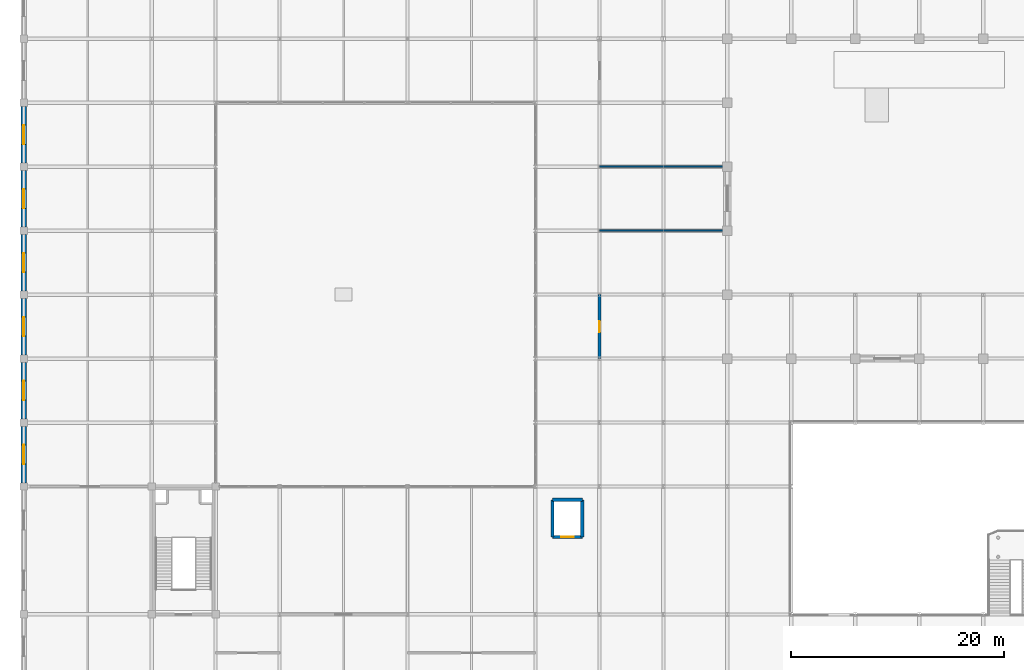
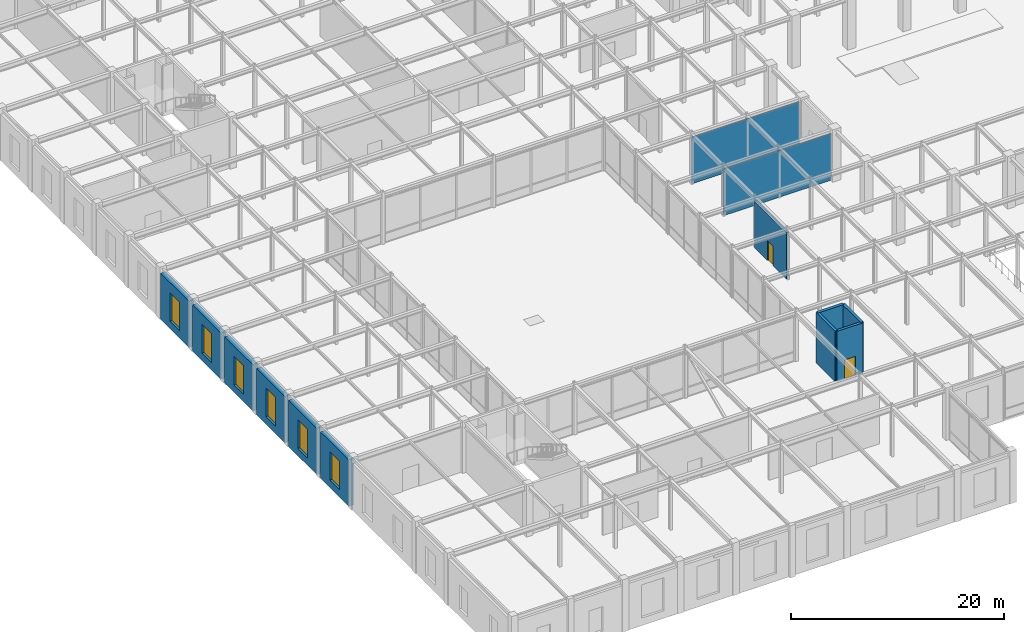
# One storey, part 98 of 108: 13 walls, 6 windows, 2 doors, 8 openings.
"""IFC4 building model written with IfcOpenShell, lengths in metres."""

from ifc_helpers import new_model, si_unit, direction, frame, frame_2d, origin, place, context, subcontext, project, spatial, rectangle, extrude, material, layer, layer_set, type_object, element, fill, save


model = new_model("IFC4")

# Units and contexts
model_context = context("Model", 3, precision=1e-05, world=origin(), true_north=direction((0.0, 1.0)))
body_context = subcontext(model_context, "Body", "Model", "MODEL_VIEW")
ifc_project = project(units=[si_unit("LENGTHUNIT", "METRE"), si_unit("AREAUNIT", "SQUARE_METRE"), si_unit("VOLUMEUNIT", "CUBIC_METRE"), si_unit("PLANEANGLEUNIT", "RADIAN"), si_unit("MASSUNIT", "GRAM", prefix="KILO")], contexts=[model_context])

# Site, building, storey
site_placement = place(None, origin())
site = spatial("IfcSite", under=ifc_project, at=site_placement, CompositionType="ELEMENT")
building_placement = place(site_placement, origin())
building = spatial("IfcBuilding", under=site, at=building_placement, Name="Zlatovratsky Civic Hall", CompositionType="ELEMENT")
storey_placement = place(building_placement, frame((0.0, 0.0, 6.0)))
storey = spatial("IfcBuildingStorey", under=building, at=storey_placement, Name="L02", CompositionType="ELEMENT", Elevation=6.0)

# Wall, opening, door
ifc_material_1 = material(Name="Acoustic ceramic blockwork", Category="masonry")
ifc_layer_1 = layer(ifc_material_1, 0.260009765625)
ifc_layer_set_1 = layer_set([ifc_layer_1], Name="Acoustic ceramic blockwork")
wall_type_1 = type_object("IfcWallType", Name="Wall_ArchiveCompartment_260", PredefinedType="PARTITIONING", material=ifc_layer_set_1)
wall_1_placement = place(storey_placement, frame((54.0, 42.0, 0.0), z_axis=(0.0, 0.0, 1.0), x_axis=(0.0, 1.0, 0.0)))
wall_1 = element("IfcWall", 1, at=wall_1_placement, inside=storey, type_object=wall_type_1, Name="WL-6137", PredefinedType="PARTITIONING", context=body_context, shape_type="SweptSolid", body=[
    extrude(rectangle(XDim=6.0, YDim=0.260009765625, at=frame_2d((3.0, 0.0))), origin(), (0.0, 0.0, 1.0), 5.320068359375),
])
opening_1_placement = place(wall_1_placement, frame((2.47509765625, 0.0, 0.0)))
opening_1 = element("IfcOpeningElement", 2, at=opening_1_placement, cuts=wall_1, Name="Opening D-24", PredefinedType="OPENING", context=body_context, shape_type="SweptSolid", body=[
    extrude(rectangle(XDim=1.050048828125, YDim=2.25, at=frame_2d((0.52490234375, 1.125))), frame((0.0, 0.14501953125, 0.0), z_axis=(0.0, -1.0, 0.0), x_axis=(1.0, 0.0, 0.0)), (0.0, 0.0, 1.0), 0.289794921875),
])
ifc_material_2 = material(Name="Solid oak joinery in steel frame", Category="steel")
door_type_1 = type_object("IfcDoorType", Name="Door_DirectorateOffice_1050x2250", OperationType="NOTDEFINED", PredefinedType="DOOR", material=ifc_material_2)
door_1_placement = place(opening_1_placement, origin())
door_1 = element("IfcDoor", 3, at=door_1_placement, inside=storey, type_object=door_type_1, Name="DR-5278", OperationType="SINGLE_SWING_LEFT", OverallHeight=2.25, OverallWidth=1.050048828125, PredefinedType="DOOR", context=body_context, shape_type="SweptSolid", body=[
    extrude(rectangle(XDim=1.050048828125, YDim=2.25, at=frame_2d((0.52490234375, 1.125))), frame((0.0, 0.02490234375, 0.0), z_axis=(0.0, -1.0, 0.0), x_axis=(1.0, 0.0, 0.0)), (0.0, 0.0, 1.0), 0.050048828125),
])
fill(opening_1, door_1)

# Walls
ifc_material_3 = material(Name="Fire-rated gypsum board framing", Category="gypsum")
ifc_layer_2 = layer(ifc_material_3, 0.139892578125)
ifc_layer_set_2 = layer_set([ifc_layer_2], Name="Fire-rated gypsum board framing")
wall_type_2 = type_object("IfcWallType", Name="Wall_OfficePartition_140", PredefinedType="PARTITIONING", material=ifc_layer_set_2)
for number, where, z_axis, x_axis, name in (
    (4, (54.0, 54.0, 0.0), (0.0, 0.0, 1.0), (1.0, 0.0, 0.0), "WL-6147"),
    (5, (54.0, 60.0, 0.0), (0.0, 0.0, 1.0), (1.0, 0.0, 0.0), "WL-6148"),
):
    element("IfcWall", number, at=place(storey_placement, frame(where, z_axis=z_axis, x_axis=x_axis)), inside=storey, type_object=wall_type_2, Name=name, PredefinedType="PARTITIONING", context=body_context, shape_type="SweptSolid", body=[
        extrude(rectangle(XDim=11.659912109375, YDim=0.139892578125, at=frame_2d((5.830078125, 0.0))), origin(), (0.0, 0.0, 1.0), 5.320068359375),
    ])

# Wall, opening, window
ifc_layer_3 = layer(ifc_material_1, 0.39990234375, Name="Backing")
ifc_material_4 = material(Name="Polished Karelian granite ashlar", Category="masonry")
ifc_layer_4 = layer(ifc_material_4, 0.139892578125, Name="Finish")
ifc_layer_set_3 = layer_set([ifc_layer_3, ifc_layer_4], Name="Acoustic ceramic blockwork")
wall_type_3 = type_object("IfcWallType", Name="Wall_PodiumGraniteArcade_540", PredefinedType="SOLIDWALL", material=ifc_layer_set_3)
wall_2_placement = place(storey_placement, frame((0.0, 30.35009765625, 0.0), z_axis=(0.0, 0.0, 1.0), x_axis=(0.0, 1.0, 0.0)))
wall_2 = element("IfcWall", 6, at=wall_2_placement, inside=storey, type_object=wall_type_3, Name="WL-0210", PredefinedType="SOLIDWALL", context=body_context, shape_type="SweptSolid", body=[
    extrude(rectangle(XDim=5.2998046875, YDim=0.5400390625, at=frame_2d((2.64990234375, 0.0))), origin(), (0.0, 0.0, 1.0), 5.31005859375),
])
opening_2_placement = place(wall_2_placement, frame((1.75, 0.0, 0.85009765625)))
opening_2 = element("IfcOpeningElement", 7, at=opening_2_placement, cuts=wall_2, Name="Opening WN-06", PredefinedType="OPENING", context=body_context, shape_type="SweptSolid", body=[
    extrude(rectangle(XDim=1.800048828125, YDim=3.300048828125, at=frame_2d((0.89990234375, 1.64990234375))), frame((0.0, 0.284912109375, 0.0), z_axis=(0.0, -1.0, 0.0), x_axis=(1.0, 0.0, 0.0)), (0.0, 0.0, 1.0), 0.56982421875),
])
ifc_material_5 = material(Name="Low-E laminated double glazing", Category="glass")
window_type = type_object("IfcWindowType", Name="Window_PianoNobileCourt_1800x3300", PartitioningType="SINGLE_PANEL", PredefinedType="WINDOW", material=ifc_material_5)
window_1_placement = place(opening_2_placement, origin())
window_1 = element("IfcWindow", 8, at=window_1_placement, inside=storey, type_object=window_type, Name="WN-0132", OverallHeight=3.300048828125, OverallWidth=1.800048828125, PartitioningType="SINGLE_PANEL", PredefinedType="WINDOW", context=body_context, shape_type="SweptSolid", body=[
    extrude(rectangle(XDim=1.800048828125, YDim=3.300048828125, at=frame_2d((0.89990234375, 1.64990234375))), frame((0.0, 0.030029296875, 0.0), z_axis=(0.0, -1.0, 0.0), x_axis=(1.0, 0.0, 0.0)), (0.0, 0.0, 1.0), 0.06005859375),
])
fill(opening_2, window_1)

wall_3_placement = place(storey_placement, frame((0.0, 36.35009765625, 0.0), z_axis=(0.0, 0.0, 1.0), x_axis=(0.0, 1.0, 0.0)))
wall_3 = element("IfcWall", 9, at=wall_3_placement, inside=storey, type_object=wall_type_3, Name="WL-0211", PredefinedType="SOLIDWALL", context=body_context, shape_type="SweptSolid", body=[
    extrude(rectangle(XDim=5.2998046875, YDim=0.5400390625, at=frame_2d((2.64990234375, 0.0))), origin(), (0.0, 0.0, 1.0), 5.31005859375),
])
opening_3_placement = place(wall_3_placement, frame((1.75, 0.0, 0.85009765625)))
opening_3 = element("IfcOpeningElement", 10, at=opening_3_placement, cuts=wall_3, Name="Opening WN-06", PredefinedType="OPENING", context=body_context, shape_type="SweptSolid", body=[
    extrude(rectangle(XDim=1.800048828125, YDim=3.300048828125, at=frame_2d((0.89990234375, 1.64990234375))), frame((0.0, 0.284912109375, 0.0), z_axis=(0.0, -1.0, 0.0), x_axis=(1.0, 0.0, 0.0)), (0.0, 0.0, 1.0), 0.56982421875),
])
window_2_placement = place(opening_3_placement, origin())
window_2 = element("IfcWindow", 11, at=window_2_placement, inside=storey, type_object=window_type, Name="WN-0133", OverallHeight=3.300048828125, OverallWidth=1.800048828125, PartitioningType="SINGLE_PANEL", PredefinedType="WINDOW", context=body_context, shape_type="SweptSolid", body=[
    extrude(rectangle(XDim=1.800048828125, YDim=3.300048828125, at=frame_2d((0.89990234375, 1.64990234375))), frame((0.0, 0.030029296875, 0.0), z_axis=(0.0, -1.0, 0.0), x_axis=(1.0, 0.0, 0.0)), (0.0, 0.0, 1.0), 0.06005859375),
])
fill(opening_3, window_2)

wall_4_placement = place(storey_placement, frame((0.0, 42.35009765625, 0.0), z_axis=(0.0, 0.0, 1.0), x_axis=(0.0, 1.0, 0.0)))
wall_4 = element("IfcWall", 12, at=wall_4_placement, inside=storey, type_object=wall_type_3, Name="WL-0212", PredefinedType="SOLIDWALL", context=body_context, shape_type="SweptSolid", body=[
    extrude(rectangle(XDim=5.2998046875, YDim=0.5400390625, at=frame_2d((2.64990234375, 0.0))), origin(), (0.0, 0.0, 1.0), 5.31005859375),
])
opening_4_placement = place(wall_4_placement, frame((1.75, 0.0, 0.85009765625)))
opening_4 = element("IfcOpeningElement", 13, at=opening_4_placement, cuts=wall_4, Name="Opening WN-06", PredefinedType="OPENING", context=body_context, shape_type="SweptSolid", body=[
    extrude(rectangle(XDim=1.800048828125, YDim=3.300048828125, at=frame_2d((0.89990234375, 1.64990234375))), frame((0.0, 0.284912109375, 0.0), z_axis=(0.0, -1.0, 0.0), x_axis=(1.0, 0.0, 0.0)), (0.0, 0.0, 1.0), 0.56982421875),
])
window_3_placement = place(opening_4_placement, origin())
window_3 = element("IfcWindow", 14, at=window_3_placement, inside=storey, type_object=window_type, Name="WN-0134", OverallHeight=3.300048828125, OverallWidth=1.800048828125, PartitioningType="SINGLE_PANEL", PredefinedType="WINDOW", context=body_context, shape_type="SweptSolid", body=[
    extrude(rectangle(XDim=1.800048828125, YDim=3.300048828125, at=frame_2d((0.89990234375, 1.64990234375))), frame((0.0, 0.030029296875, 0.0), z_axis=(0.0, -1.0, 0.0), x_axis=(1.0, 0.0, 0.0)), (0.0, 0.0, 1.0), 0.06005859375),
])
fill(opening_4, window_3)

wall_5_placement = place(storey_placement, frame((0.0, 48.35009765625, 0.0), z_axis=(0.0, 0.0, 1.0), x_axis=(0.0, 1.0, 0.0)))
wall_5 = element("IfcWall", 15, at=wall_5_placement, inside=storey, type_object=wall_type_3, Name="WL-0213", PredefinedType="SOLIDWALL", context=body_context, shape_type="SweptSolid", body=[
    extrude(rectangle(XDim=5.2998046875, YDim=0.5400390625, at=frame_2d((2.64990234375, 0.0))), origin(), (0.0, 0.0, 1.0), 5.31005859375),
])
opening_5_placement = place(wall_5_placement, frame((1.75, 0.0, 0.85009765625)))
opening_5 = element("IfcOpeningElement", 16, at=opening_5_placement, cuts=wall_5, Name="Opening WN-06", PredefinedType="OPENING", context=body_context, shape_type="SweptSolid", body=[
    extrude(rectangle(XDim=1.800048828125, YDim=3.300048828125, at=frame_2d((0.89990234375, 1.64990234375))), frame((0.0, 0.284912109375, 0.0), z_axis=(0.0, -1.0, 0.0), x_axis=(1.0, 0.0, 0.0)), (0.0, 0.0, 1.0), 0.56982421875),
])
window_4_placement = place(opening_5_placement, origin())
window_4 = element("IfcWindow", 17, at=window_4_placement, inside=storey, type_object=window_type, Name="WN-0135", OverallHeight=3.300048828125, OverallWidth=1.800048828125, PartitioningType="SINGLE_PANEL", PredefinedType="WINDOW", context=body_context, shape_type="SweptSolid", body=[
    extrude(rectangle(XDim=1.800048828125, YDim=3.300048828125, at=frame_2d((0.89990234375, 1.64990234375))), frame((0.0, 0.030029296875, 0.0), z_axis=(0.0, -1.0, 0.0), x_axis=(1.0, 0.0, 0.0)), (0.0, 0.0, 1.0), 0.06005859375),
])
fill(opening_5, window_4)

wall_6_placement = place(storey_placement, frame((0.0, 54.35009765625, 0.0), z_axis=(0.0, 0.0, 1.0), x_axis=(0.0, 1.0, 0.0)))
wall_6 = element("IfcWall", 18, at=wall_6_placement, inside=storey, type_object=wall_type_3, Name="WL-0214", PredefinedType="SOLIDWALL", context=body_context, shape_type="SweptSolid", body=[
    extrude(rectangle(XDim=5.2998046875, YDim=0.5400390625, at=frame_2d((2.64990234375, 0.0))), origin(), (0.0, 0.0, 1.0), 5.31005859375),
])
opening_6_placement = place(wall_6_placement, frame((1.75, 0.0, 0.85009765625)))
opening_6 = element("IfcOpeningElement", 19, at=opening_6_placement, cuts=wall_6, Name="Opening WN-06", PredefinedType="OPENING", context=body_context, shape_type="SweptSolid", body=[
    extrude(rectangle(XDim=1.800048828125, YDim=3.300048828125, at=frame_2d((0.89990234375, 1.64990234375))), frame((0.0, 0.284912109375, 0.0), z_axis=(0.0, -1.0, 0.0), x_axis=(1.0, 0.0, 0.0)), (0.0, 0.0, 1.0), 0.56982421875),
])
window_5_placement = place(opening_6_placement, origin())
window_5 = element("IfcWindow", 20, at=window_5_placement, inside=storey, type_object=window_type, Name="WN-0136", OverallHeight=3.300048828125, OverallWidth=1.800048828125, PartitioningType="SINGLE_PANEL", PredefinedType="WINDOW", context=body_context, shape_type="SweptSolid", body=[
    extrude(rectangle(XDim=1.800048828125, YDim=3.300048828125, at=frame_2d((0.89990234375, 1.64990234375))), frame((0.0, 0.030029296875, 0.0), z_axis=(0.0, -1.0, 0.0), x_axis=(1.0, 0.0, 0.0)), (0.0, 0.0, 1.0), 0.06005859375),
])
fill(opening_6, window_5)

wall_7_placement = place(storey_placement, frame((0.0, 60.35009765625, 0.0), z_axis=(0.0, 0.0, 1.0), x_axis=(0.0, 1.0, 0.0)))
wall_7 = element("IfcWall", 21, at=wall_7_placement, inside=storey, type_object=wall_type_3, Name="WL-0215", PredefinedType="SOLIDWALL", context=body_context, shape_type="SweptSolid", body=[
    extrude(rectangle(XDim=5.2998046875, YDim=0.5400390625, at=frame_2d((2.64990234375, 0.0))), origin(), (0.0, 0.0, 1.0), 5.31005859375),
])
opening_7_placement = place(wall_7_placement, frame((1.75, 0.0, 0.85009765625)))
opening_7 = element("IfcOpeningElement", 22, at=opening_7_placement, cuts=wall_7, Name="Opening WN-06", PredefinedType="OPENING", context=body_context, shape_type="SweptSolid", body=[
    extrude(rectangle(XDim=1.800048828125, YDim=3.300048828125, at=frame_2d((0.89990234375, 1.64990234375))), frame((0.0, 0.284912109375, 0.0), z_axis=(0.0, -1.0, 0.0), x_axis=(1.0, 0.0, 0.0)), (0.0, 0.0, 1.0), 0.56982421875),
])
window_6_placement = place(opening_7_placement, origin())
window_6 = element("IfcWindow", 23, at=window_6_placement, inside=storey, type_object=window_type, Name="WN-0137", OverallHeight=3.300048828125, OverallWidth=1.800048828125, PartitioningType="SINGLE_PANEL", PredefinedType="WINDOW", context=body_context, shape_type="SweptSolid", body=[
    extrude(rectangle(XDim=1.800048828125, YDim=3.300048828125, at=frame_2d((0.89990234375, 1.64990234375))), frame((0.0, 0.030029296875, 0.0), z_axis=(0.0, -1.0, 0.0), x_axis=(1.0, 0.0, 0.0)), (0.0, 0.0, 1.0), 0.06005859375),
])
fill(opening_7, window_6)

# Wall, opening, door
ifc_material_6 = material(Name="Concrete C35/45 (B40)", Category="concrete")
ifc_layer_5 = layer(ifc_material_6, 0.300048828125)
ifc_layer_set_4 = layer_set([ifc_layer_5], Name="Concrete C35/45 (B40)")
wall_type_4 = type_object("IfcWallType", Name="Wall_StairAndLiftShaft_300", PredefinedType="SHEAR", material=ifc_layer_set_4)
wall_8_placement = place(storey_placement, frame((49.60009765625, 25.25, 0.0), z_axis=(0.0, 0.0, 1.0), x_axis=(1.0, 0.0, 0.0)))
wall_8 = element("IfcWall", 24, at=wall_8_placement, inside=storey, type_object=wall_type_4, Name="WL-5977", PredefinedType="SHEAR", context=body_context, shape_type="SweptSolid", body=[
    extrude(rectangle(XDim=2.7998046875, YDim=0.300048828125, at=frame_2d((1.39990234375, 0.0))), origin(), (0.0, 0.0, 1.0), 5.760009765625),
])
opening_8_placement = place(wall_8_placement, frame((0.800048828125, 0.0, 0.0)))
opening_8 = element("IfcOpeningElement", 25, at=opening_8_placement, cuts=wall_8, Name="Opening LD-04", PredefinedType="OPENING", context=body_context, shape_type="SweptSolid", body=[
    extrude(rectangle(XDim=1.199951171875, YDim=2.199951171875, at=frame_2d((0.60009765625, 1.10009765625))), frame((0.0, 0.1650390625, 0.0), z_axis=(0.0, -1.0, 0.0), x_axis=(1.0, 0.0, 0.0)), (0.0, 0.0, 1.0), 0.329833984375),
])
ifc_material_7 = material(Name="Brushed stainless steel AISI 304", Category="steel")
door_type_2 = type_object("IfcDoorType", Name="Door_LiftLandingShuttle_1200x2200", OperationType="DOUBLE_DOOR_SLIDING", PredefinedType="DOOR", material=ifc_material_7)
door_2_placement = place(opening_8_placement, origin())
door_2 = element("IfcDoor", 26, at=door_2_placement, inside=storey, type_object=door_type_2, Name="Lift landing door LD-5197", OperationType="DOUBLE_DOOR_SLIDING", OverallHeight=2.199951171875, OverallWidth=1.199951171875, PredefinedType="DOOR", context=body_context, shape_type="SweptSolid", body=[
    extrude(rectangle(XDim=1.199951171875, YDim=2.199951171875, at=frame_2d((0.60009765625, 1.10009765625))), frame((0.0, 0.02490234375, 0.0), z_axis=(0.0, -1.0, 0.0), x_axis=(1.0, 0.0, 0.0)), (0.0, 0.0, 1.0), 0.050048828125),
])
fill(opening_8, door_2)

# Walls
wall_9_placement = place(storey_placement, frame((49.60009765625, 28.75, 0.0), z_axis=(0.0, 0.0, 1.0), x_axis=(1.0, 0.0, 0.0)))
element("IfcWall", 27, at=wall_9_placement, inside=storey, type_object=wall_type_4, Name="WL-5978", PredefinedType="SHEAR", context=body_context, shape_type="SweptSolid", body=[
    extrude(rectangle(XDim=2.7998046875, YDim=0.300048828125, at=frame_2d((1.39990234375, 0.0))), origin(), (0.0, 0.0, 1.0), 5.760009765625),
])
for number, where, z_axis, x_axis, name in (
    (28, (49.60009765625, 25.25, 0.0), (0.0, 0.0, 1.0), (0.0, 1.0, 0.0), "WL-5979"),
    (29, (52.39990234375, 25.25, 0.0), (0.0, 0.0, 1.0), (0.0, 1.0, 0.0), "WL-5980"),
):
    element("IfcWall", number, at=place(storey_placement, frame(where, z_axis=z_axis, x_axis=x_axis)), inside=storey, type_object=wall_type_4, Name=name, PredefinedType="SHEAR", context=body_context, shape_type="SweptSolid", body=[
        extrude(rectangle(XDim=3.5, YDim=0.300048828125, at=frame_2d((1.75, 0.0))), origin(), (0.0, 0.0, 1.0), 5.760009765625),
    ])

save(model, "model.ifc")
